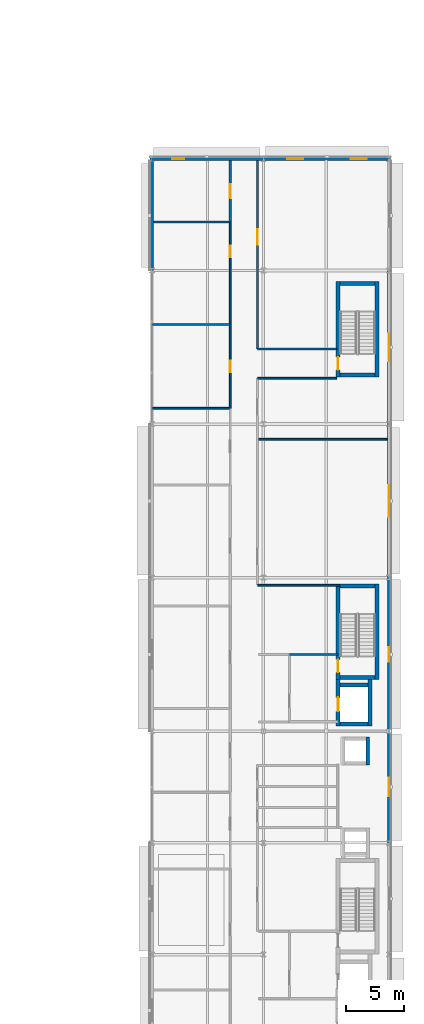
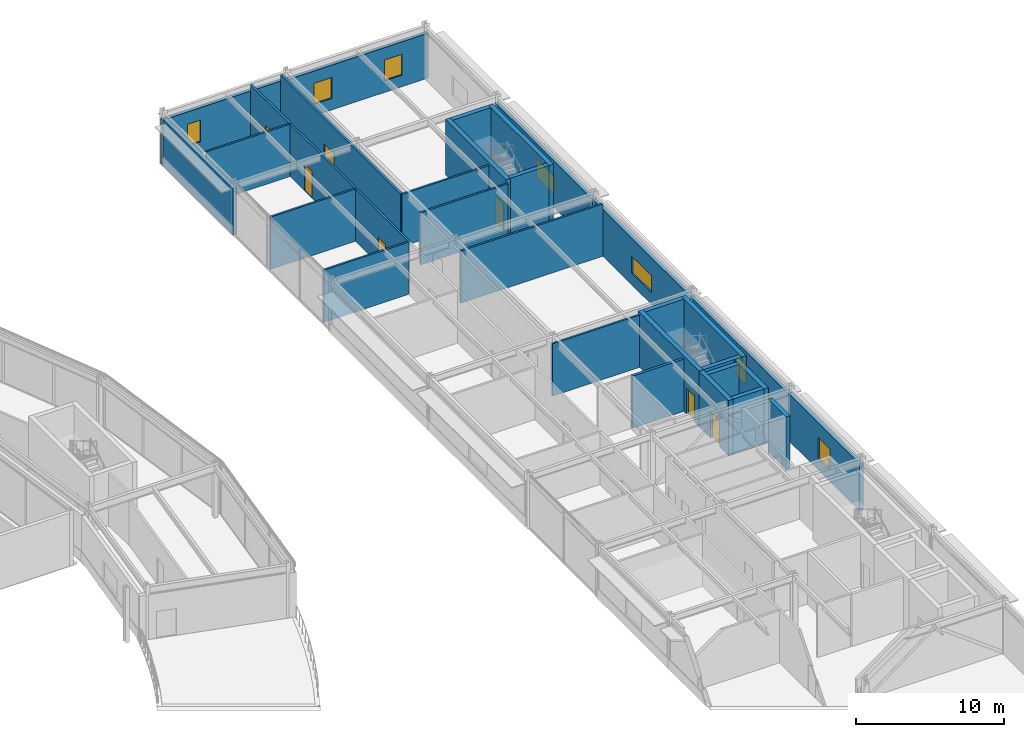
# One storey, part 90 of 116: 32 walls, 7 doors, 7 windows, 14 openings.
"""IFC4 building model written with IfcOpenShell, lengths in metres."""

from ifc_helpers import new_model, si_unit, direction, frame, frame_2d, origin, place, context, subcontext, project, spatial, rectangle, extrude, material, layer, layer_set, type_object, element, fill, save


model = new_model("IFC4")

# Units and contexts
model_context = context("Model", 3, precision=1e-05, world=origin(), true_north=direction((0.0, 1.0)))
body_context = subcontext(model_context, "Body", "Model", "MODEL_VIEW")
ifc_project = project(units=[si_unit("LENGTHUNIT", "METRE"), si_unit("AREAUNIT", "SQUARE_METRE"), si_unit("VOLUMEUNIT", "CUBIC_METRE"), si_unit("PLANEANGLEUNIT", "RADIAN"), si_unit("MASSUNIT", "GRAM", prefix="KILO")], contexts=[model_context])

# Site, building, storey
site_placement = place(None, origin())
site = spatial("IfcSite", under=ifc_project, at=site_placement, CompositionType="ELEMENT")
building_placement = place(site_placement, origin())
building = spatial("IfcBuilding", under=site, at=building_placement, Name="Almandine Court Research Institute", CompositionType="ELEMENT")
storey_placement = place(building_placement, frame((0.0, 0.0, 14.35009765625)))
storey = spatial("IfcBuildingStorey", under=building, at=storey_placement, Name="L03", CompositionType="ELEMENT", Elevation=14.35009765625)

# Wall
ifc_material_1 = material(Name="Insulated Ochre Terracotta Rainscreen Wall", Category="masonry")
ifc_layer_1 = layer(ifc_material_1, 0.2900390625)
ifc_layer_set_1 = layer_set([ifc_layer_1], Name="Insulated Ochre Terracotta Rainscreen Wall")
wall_type_1 = type_object("IfcWallType", Name="Wall-EXT-TERR-290", PredefinedType="SOLIDWALL", material=ifc_layer_set_1)
wall_1_placement = place(storey_placement, frame((153.60009765625, 84.00390625, 0.0), z_axis=(0.0, 0.0, 1.0), x_axis=(0.0, 1.0, 0.0)))
element("IfcWall", 1, at=wall_1_placement, inside=storey, type_object=wall_type_1, Name="L03 Wet Lab West Facade Wall 8", PredefinedType="SOLIDWALL", context=body_context, shape_type="SweptSolid", body=[
    extrude(rectangle(XDim=9.447021484375, YDim=0.2900390625, at=frame_2d((4.7236328125, 0.0))), origin(), (0.0, 0.0, 1.0), 3.846923828125),
])

# Wall, opening, window
wall_2_placement = place(storey_placement, frame((153.455078125, 93.60009765625, 0.0), z_axis=(0.0, 0.0, 1.0), x_axis=(1.0, 0.0, 0.0)))
wall_2 = element("IfcWall", 2, at=wall_2_placement, inside=storey, type_object=wall_type_1, Name="L03 Wet Lab North Wall 1", PredefinedType="SOLIDWALL", context=body_context, shape_type="SweptSolid", body=[
    extrude(rectangle(XDim=9.740966796875, YDim=0.2900390625, at=frame_2d((4.87060546875, 0.0))), origin(), (0.0, 0.0, 1.0), 3.763916015625),
])
opening_1_placement = place(wall_2_placement, frame((1.909912109375, 0.0, 0.949951171875)))
opening_1 = element("IfcOpeningElement", 3, at=opening_1_placement, cuts=wall_2, Name="Opening WN-16", PredefinedType="OPENING", context=body_context, shape_type="SweptSolid", body=[
    extrude(rectangle(XDim=1.050048828125, YDim=1.800048828125, at=frame_2d((0.52490234375, 0.89990234375))), frame((0.0, 0.155029296875, 0.0), z_axis=(0.0, -1.0, 0.0), x_axis=(1.0, 0.0, 0.0)), (0.0, 0.0, 1.0), 0.31005859375),
])
ifc_material_2 = material(Name="Thermally Broken Low-E Double-Glazed Window", Category="glass")
window_type_1 = type_object("IfcWindowType", Name="Win-WN-16-1050x1800", PartitioningType="SINGLE_PANEL", PredefinedType="WINDOW", material=ifc_material_2)
window_1_placement = place(opening_1_placement, origin())
window_1 = element("IfcWindow", 4, at=window_1_placement, inside=storey, type_object=window_type_1, Name="L03 Modular Recessed Low-E Window 117", OverallHeight=1.800048828125, OverallWidth=1.050048828125, PartitioningType="SINGLE_PANEL", PredefinedType="WINDOW", context=body_context, shape_type="SweptSolid", body=[
    extrude(rectangle(XDim=1.050048828125, YDim=1.800048828125, at=frame_2d((0.52490234375, 0.89990234375))), frame((0.0, 0.030029296875, 0.0), z_axis=(0.0, -1.0, 0.0), x_axis=(1.0, 0.0, 0.0)), (0.0, 0.0, 1.0), 0.06005859375),
])
fill(opening_1, window_1)

# Wall, openings, windows
wall_3_placement = place(storey_placement, frame((163.2041015625, 93.60009765625, 0.0), z_axis=(0.0, 0.0, 1.0), x_axis=(1.0, 0.0, 0.0)))
wall_3 = element("IfcWall", 5, at=wall_3_placement, inside=storey, type_object=wall_type_1, Name="L03 Wet Lab North Wall 2", PredefinedType="SOLIDWALL", context=body_context, shape_type="SweptSolid", body=[
    extrude(rectangle(XDim=10.94091796875, YDim=0.2900390625, at=frame_2d((5.470458984375, 0.0))), origin(), (0.0, 0.0, 1.0), 3.68701171875),
])
opening_2_placement = place(wall_3_placement, frame((2.044921875, 0.0, 0.949951171875)))
opening_2 = element("IfcOpeningElement", 6, at=opening_2_placement, cuts=wall_3, Name="Opening WN-17", PredefinedType="OPENING", context=body_context, shape_type="SweptSolid", body=[
    extrude(rectangle(XDim=1.3798828125, YDim=1.719970703125, at=frame_2d((0.68994140625, 0.85986328125))), frame((0.0, 0.155029296875, 0.0), z_axis=(0.0, -1.0, 0.0), x_axis=(1.0, 0.0, 0.0)), (0.0, 0.0, 1.0), 0.31005859375),
])
opening_3_placement = place(wall_3_placement, frame((7.51611328125, 0.0, 0.949951171875)))
opening_3 = element("IfcOpeningElement", 7, at=opening_3_placement, cuts=wall_3, Name="Opening WN-17", PredefinedType="OPENING", context=body_context, shape_type="SweptSolid", body=[
    extrude(rectangle(XDim=1.3798828125, YDim=1.719970703125, at=frame_2d((0.68994140625, 0.85986328125))), frame((0.0, 0.155029296875, 0.0), z_axis=(0.0, -1.0, 0.0), x_axis=(1.0, 0.0, 0.0)), (0.0, 0.0, 1.0), 0.31005859375),
])
window_type_2 = type_object("IfcWindowType", Name="Win-WN-17-1380x1720", PartitioningType="SINGLE_PANEL", PredefinedType="WINDOW", material=ifc_material_2)
window_2_placement = place(opening_2_placement, origin())
window_2 = element("IfcWindow", 8, at=window_2_placement, inside=storey, type_object=window_type_2, Name="L03 Modular Recessed Low-E Window 118", OverallHeight=1.719970703125, OverallWidth=1.3798828125, PartitioningType="SINGLE_PANEL", PredefinedType="WINDOW", context=body_context, shape_type="SweptSolid", body=[
    extrude(rectangle(XDim=1.3798828125, YDim=1.719970703125, at=frame_2d((0.68994140625, 0.85986328125))), frame((0.0, 0.030029296875, 0.0), z_axis=(0.0, -1.0, 0.0), x_axis=(1.0, 0.0, 0.0)), (0.0, 0.0, 1.0), 0.06005859375),
])
fill(opening_2, window_2)
window_3_placement = place(opening_3_placement, origin())
window_3 = element("IfcWindow", 9, at=window_3_placement, inside=storey, type_object=window_type_2, Name="L03 Modular Recessed Low-E Window 119", OverallHeight=1.719970703125, OverallWidth=1.3798828125, PartitioningType="SINGLE_PANEL", PredefinedType="WINDOW", context=body_context, shape_type="SweptSolid", body=[
    extrude(rectangle(XDim=1.3798828125, YDim=1.719970703125, at=frame_2d((0.68994140625, 0.85986328125))), frame((0.0, 0.030029296875, 0.0), z_axis=(0.0, -1.0, 0.0), x_axis=(1.0, 0.0, 0.0)), (0.0, 0.0, 1.0), 0.06005859375),
])
fill(opening_3, window_3)

# Wall, opening, window
wall_4_placement = place(storey_placement, frame((174.0, 83.99609375, 0.0), z_axis=(0.0, 0.0, 1.0), x_axis=(0.0, -1.0, 0.0)))
wall_4 = element("IfcWall", 10, at=wall_4_placement, inside=storey, type_object=wall_type_1, Name="L03 Wet Lab East Facade Wall 7", PredefinedType="SOLIDWALL", context=body_context, shape_type="SweptSolid", body=[
    extrude(rectangle(XDim=13.192138671875, YDim=0.2900390625, at=frame_2d((6.59619140625, 0.0))), origin(), (0.0, 0.0, 1.0), 3.81591796875),
])
opening_4_placement = place(wall_4_placement, frame((5.410888671875, 0.0, 0.949951171875)))
opening_4 = element("IfcOpeningElement", 11, at=opening_4_placement, cuts=wall_4, Name="Opening WN-61", PredefinedType="OPENING", context=body_context, shape_type="SweptSolid", body=[
    extrude(rectangle(XDim=2.3701171875, YDim=1.47998046875, at=frame_2d((1.18505859375, 0.739990234375))), frame((0.0, 0.155029296875, 0.0), z_axis=(0.0, -1.0, 0.0), x_axis=(1.0, 0.0, 0.0)), (0.0, 0.0, 1.0), 0.31005859375),
])
window_type_3 = type_object("IfcWindowType", Name="Win-WN-61-2370x1480", PartitioningType="SINGLE_PANEL", PredefinedType="WINDOW", material=ifc_material_2)
window_4_placement = place(opening_4_placement, origin())
window_4 = element("IfcWindow", 12, at=window_4_placement, inside=storey, type_object=window_type_3, Name="L03 Modular Recessed Low-E Window 121", OverallHeight=1.47998046875, OverallWidth=2.3701171875, PartitioningType="SINGLE_PANEL", PredefinedType="WINDOW", context=body_context, shape_type="SweptSolid", body=[
    extrude(rectangle(XDim=2.3701171875, YDim=1.47998046875, at=frame_2d((1.18505859375, 0.739990234375))), frame((0.0, 0.030029296875, 0.0), z_axis=(0.0, -1.0, 0.0), x_axis=(1.0, 0.0, 0.0)), (0.0, 0.0, 1.0), 0.06005859375),
])
fill(opening_4, window_4)

wall_5_placement = place(storey_placement, frame((174.0, 70.7958984375, 0.0), z_axis=(0.0, 0.0, 1.0), x_axis=(0.0, -1.0, 0.0)))
wall_5 = element("IfcWall", 13, at=wall_5_placement, inside=storey, type_object=wall_type_1, Name="L03 Wet Lab East Facade Wall 6", PredefinedType="SOLIDWALL", context=body_context, shape_type="SweptSolid", body=[
    extrude(rectangle(XDim=13.19189453125, YDim=0.2900390625, at=frame_2d((6.595947265625, 0.0))), origin(), (0.0, 0.0, 1.0), 3.81591796875),
])
opening_5_placement = place(wall_5_placement, frame((5.24609375, 0.0, 0.949951171875)))
opening_5 = element("IfcOpeningElement", 14, at=opening_5_placement, cuts=wall_5, Name="Opening WN-19", PredefinedType="OPENING", context=body_context, shape_type="SweptSolid", body=[
    extrude(rectangle(XDim=2.699951171875, YDim=1.39990234375, at=frame_2d((1.35009765625, 0.699951171875))), frame((0.0, 0.155029296875, 0.0), z_axis=(0.0, -1.0, 0.0), x_axis=(1.0, 0.0, 0.0)), (0.0, 0.0, 1.0), 0.31005859375),
])
window_type_4 = type_object("IfcWindowType", Name="Win-WN-19-2700x1400", PartitioningType="SINGLE_PANEL", PredefinedType="WINDOW", material=ifc_material_2)
window_5_placement = place(opening_5_placement, origin())
window_5 = element("IfcWindow", 15, at=window_5_placement, inside=storey, type_object=window_type_4, Name="L03 Modular Recessed Low-E Window 122", OverallHeight=1.39990234375, OverallWidth=2.699951171875, PartitioningType="SINGLE_PANEL", PredefinedType="WINDOW", context=body_context, shape_type="SweptSolid", body=[
    extrude(rectangle(XDim=2.699951171875, YDim=1.39990234375, at=frame_2d((1.35009765625, 0.699951171875))), frame((0.0, 0.030029296875, 0.0), z_axis=(0.0, -1.0, 0.0), x_axis=(1.0, 0.0, 0.0)), (0.0, 0.0, 1.0), 0.06005859375),
])
fill(opening_5, window_5)

wall_6_placement = place(storey_placement, frame((174.0, 57.595947265625, 0.0), z_axis=(0.0, 0.0, 1.0), x_axis=(0.0, -1.0, 0.0)))
wall_6 = element("IfcWall", 16, at=wall_6_placement, inside=storey, type_object=wall_type_1, Name="L03 Wet Lab East Facade Wall 5", PredefinedType="SOLIDWALL", context=body_context, shape_type="SweptSolid", body=[
    extrude(rectangle(XDim=13.19189453125, YDim=0.2900390625, at=frame_2d((6.595947265625, 0.0))), origin(), (0.0, 0.0, 1.0), 3.81591796875),
])
opening_6_placement = place(wall_6_placement, frame((5.9609375, 0.0, 0.949951171875)))
opening_6 = element("IfcOpeningElement", 17, at=opening_6_placement, cuts=wall_6, Name="Opening WN-20", PredefinedType="OPENING", context=body_context, shape_type="SweptSolid", body=[
    extrude(rectangle(XDim=1.27001953125, YDim=1.800048828125, at=frame_2d((0.635009765625, 0.89990234375))), frame((0.0, 0.155029296875, 0.0), z_axis=(0.0, -1.0, 0.0), x_axis=(1.0, 0.0, 0.0)), (0.0, 0.0, 1.0), 0.31005859375),
])
window_type_5 = type_object("IfcWindowType", Name="Win-WN-20-1270x1800", PartitioningType="SINGLE_PANEL", PredefinedType="WINDOW", material=ifc_material_2)
window_6_placement = place(opening_6_placement, origin())
window_6 = element("IfcWindow", 18, at=window_6_placement, inside=storey, type_object=window_type_5, Name="L03 Modular Recessed Low-E Window 123", OverallHeight=1.800048828125, OverallWidth=1.27001953125, PartitioningType="SINGLE_PANEL", PredefinedType="WINDOW", context=body_context, shape_type="SweptSolid", body=[
    extrude(rectangle(XDim=1.27001953125, YDim=1.800048828125, at=frame_2d((0.635009765625, 0.89990234375))), frame((0.0, 0.030029296875, 0.0), z_axis=(0.0, -1.0, 0.0), x_axis=(1.0, 0.0, 0.0)), (0.0, 0.0, 1.0), 0.06005859375),
])
fill(opening_6, window_6)

wall_7_placement = place(storey_placement, frame((174.0, 44.39599609375, 0.0), z_axis=(0.0, 0.0, 1.0), x_axis=(0.0, -1.0, 0.0)))
wall_7 = element("IfcWall", 19, at=wall_7_placement, inside=storey, type_object=wall_type_1, Name="L03 Wet Lab East Facade Wall 4", PredefinedType="SOLIDWALL", context=body_context, shape_type="SweptSolid", body=[
    extrude(rectangle(XDim=9.592041015625, YDim=0.2900390625, at=frame_2d((4.7958984375, 0.0))), origin(), (0.0, 0.0, 1.0), 3.8837890625),
])
opening_7_placement = place(wall_7_placement, frame((3.99609375, 0.0, 0.949951171875)))
opening_7 = element("IfcOpeningElement", 20, at=opening_7_placement, cuts=wall_7, Name="Opening WN-62", PredefinedType="OPENING", context=body_context, shape_type="SweptSolid", body=[
    extrude(rectangle(XDim=1.60009765625, YDim=1.719970703125, at=frame_2d((0.800048828125, 0.85986328125))), frame((0.0, 0.155029296875, 0.0), z_axis=(0.0, -1.0, 0.0), x_axis=(1.0, 0.0, 0.0)), (0.0, 0.0, 1.0), 0.31005859375),
])
window_type_6 = type_object("IfcWindowType", Name="Win-WN-62-1600x1720", PartitioningType="SINGLE_PANEL", PredefinedType="WINDOW", material=ifc_material_2)
window_7_placement = place(opening_7_placement, origin())
window_7 = element("IfcWindow", 21, at=window_7_placement, inside=storey, type_object=window_type_6, Name="L03 Modular Recessed Low-E Window 124", OverallHeight=1.719970703125, OverallWidth=1.60009765625, PartitioningType="SINGLE_PANEL", PredefinedType="WINDOW", context=body_context, shape_type="SweptSolid", body=[
    extrude(rectangle(XDim=1.60009765625, YDim=1.719970703125, at=frame_2d((0.800048828125, 0.85986328125))), frame((0.0, 0.030029296875, 0.0), z_axis=(0.0, -1.0, 0.0), x_axis=(1.0, 0.0, 0.0)), (0.0, 0.0, 1.0), 0.06005859375),
])
fill(opening_7, window_7)

# Wall, opening, door
ifc_material_3 = material(Name="One-Hour Fire-Rated Laboratory Partition")
ifc_layer_2 = layer(ifc_material_3, 0.175048828125)
ifc_layer_set_2 = layer_set([ifc_layer_2], Name="One-Hour Fire-Rated Laboratory Partition")
wall_type_2 = type_object("IfcWallType", Name="Wall-FIRE-175", PredefinedType="PARTITIONING", material=ifc_layer_set_2)
wall_8_placement = place(storey_placement, frame((160.35009765625, 88.159912109375, 0.0), z_axis=(0.0, 0.0, 1.0), x_axis=(0.0, 1.0, 0.0)))
wall_8 = element("IfcWall", 22, at=wall_8_placement, inside=storey, type_object=wall_type_2, Name="L03 Interior Partition W-V4-L03-WW-10", PredefinedType="PARTITIONING", context=body_context, shape_type="SweptSolid", body=[
    extrude(rectangle(XDim=5.280029296875, YDim=0.175048828125, at=frame_2d((2.64013671875, 0.0))), origin(), (0.0, 0.0, 1.0), 4.2998046875),
])
opening_8_placement = place(wall_8_placement, frame((2.0400390625, 0.0, 0.0)))
opening_8 = element("IfcOpeningElement", 23, at=opening_8_placement, cuts=wall_8, Name="Opening FD-LAB", PredefinedType="OPENING", context=body_context, shape_type="SweptSolid", body=[
    extrude(rectangle(XDim=1.199951171875, YDim=2.199951171875, at=frame_2d((0.60009765625, 1.10009765625))), frame((0.0, 0.097412109375, 0.0), z_axis=(0.0, -1.0, 0.0), x_axis=(1.0, 0.0, 0.0)), (0.0, 0.0, 1.0), 0.195068359375),
])
ifc_material_4 = material(Name="Fire-Rated Laboratory Containment Door")
door_type_1 = type_object("IfcDoorType", Name="Door-FD-LAB-1200", OperationType="NOTDEFINED", PredefinedType="DOOR", material=ifc_material_4)
door_1_placement = place(opening_8_placement, origin())
door_1 = element("IfcDoor", 24, at=door_1_placement, inside=storey, type_object=door_type_1, Name="L03 Wet Chemistry Laboratory Door", OperationType="SINGLE_SWING_LEFT", OverallHeight=2.199951171875, OverallWidth=1.199951171875, PredefinedType="DOOR", context=body_context, shape_type="SweptSolid", body=[
    extrude(rectangle(XDim=1.199951171875, YDim=2.199951171875, at=frame_2d((0.60009765625, 1.10009765625))), frame((0.0, 0.02490234375, 0.0), z_axis=(0.0, -1.0, 0.0), x_axis=(1.0, 0.0, 0.0)), (0.0, 0.0, 1.0), 0.050048828125),
])
fill(opening_8, door_1)

wall_9_placement = place(storey_placement, frame((162.699951171875, 77.25, 0.0), z_axis=(0.0, 0.0, 1.0), x_axis=(0.0, 1.0, 0.0)))
wall_9 = element("IfcWall", 25, at=wall_9_placement, inside=storey, type_object=wall_type_2, Name="L03 Interior Partition W-V4-L03-EW-N2", PredefinedType="PARTITIONING", context=body_context, shape_type="SweptSolid", body=[
    extrude(rectangle(XDim=16.18994140625, YDim=0.175048828125, at=frame_2d((8.094970703125, 0.0))), origin(), (0.0, 0.0, 1.0), 4.2998046875),
])
opening_9_placement = place(wall_9_placement, frame((8.949951171875, 0.0, 0.0)))
opening_9 = element("IfcOpeningElement", 26, at=opening_9_placement, cuts=wall_9, Name="Opening FD-LB2", PredefinedType="OPENING", context=body_context, shape_type="SweptSolid", body=[
    extrude(rectangle(XDim=1.35009765625, YDim=2.199951171875, at=frame_2d((0.675048828125, 1.10009765625))), frame((0.0, 0.097412109375, 0.0), z_axis=(0.0, -1.0, 0.0), x_axis=(1.0, 0.0, 0.0)), (0.0, 0.0, 1.0), 0.195068359375),
])
ifc_material_5 = material(Name="Wide Fire-Rated Cleanroom and Lab Door")
door_type_2 = type_object("IfcDoorType", Name="Door-FD-LAB-1350", OperationType="NOTDEFINED", PredefinedType="DOOR", material=ifc_material_5)
door_2_placement = place(opening_9_placement, origin())
door_2 = element("IfcDoor", 27, at=door_2_placement, inside=storey, type_object=door_type_2, Name="L03 East BSL-2 Lab Door", OperationType="SINGLE_SWING_RIGHT", OverallHeight=2.199951171875, OverallWidth=1.35009765625, PredefinedType="DOOR", context=body_context, shape_type="SweptSolid", body=[
    extrude(rectangle(XDim=1.35009765625, YDim=2.199951171875, at=frame_2d((0.675048828125, 1.10009765625))), frame((0.0, 0.02490234375, 0.0), z_axis=(0.0, -1.0, 0.0), x_axis=(1.0, 0.0, 0.0)), (0.0, 0.0, 1.0), 0.050048828125),
])
fill(opening_9, door_2)

# Walls
ifc_material_6 = material(Name="Two-Hour Fire-Barrier Enclosure Wall")
ifc_layer_3 = layer(ifc_material_6, 0.199951171875)
ifc_layer_set_3 = layer_set([ifc_layer_3], Name="Two-Hour Fire-Barrier Enclosure Wall")
wall_type_3 = type_object("IfcWallType", Name="Wall-FIRE-200", PredefinedType="SOLIDWALL", material=ifc_layer_set_3)
wall_10_placement = place(storey_placement, frame((165.449951171875, 51.0, 0.0), z_axis=(0.0, 0.0, 1.0), x_axis=(1.0, 0.0, 0.0)))
element("IfcWall", 28, at=wall_10_placement, inside=storey, type_object=wall_type_3, Name="L03 Interior Partition W-FFL2-L03-N", PredefinedType="SOLIDWALL", context=body_context, shape_type="SweptSolid", body=[
    extrude(rectangle(XDim=4.150146484375, YDim=0.199951171875, at=frame_2d((2.0751953125, 0.0))), origin(), (0.0, 0.0, 1.0), 4.2998046875),
])
ifc_material_7 = material(Name="Acoustic Steel-Stud Gypsum Partition Wall", Category="steel")
ifc_layer_4 = layer(ifc_material_7, 0.14990234375)
ifc_layer_set_4 = layer_set([ifc_layer_4], Name="Acoustic Steel-Stud Gypsum Partition Wall")
wall_type_4 = type_object("IfcWallType", Name="Wall-PART-150", PredefinedType="PARTITIONING", material=ifc_layer_set_4)
wall_11_placement = place(storey_placement, frame((153.659912109375, 72.159912109375, 0.0), z_axis=(0.0, 0.0, 1.0), x_axis=(1.0, 0.0, 0.0)))
element("IfcWall", 29, at=wall_11_placement, inside=storey, type_object=wall_type_4, Name="L03 Interior Partition W-V4-L03-WDIV-7", PredefinedType="PARTITIONING", context=body_context, shape_type="SweptSolid", body=[
    extrude(rectangle(XDim=6.610107421875, YDim=0.14990234375, at=frame_2d((3.30517578125, 0.0))), origin(), (0.0, 0.0, 1.0), 4.2998046875),
])

# Wall, opening, door
wall_12_placement = place(storey_placement, frame((160.35009765625, 72.159912109375, 0.0), z_axis=(0.0, 0.0, 1.0), x_axis=(0.0, 1.0, 0.0)))
wall_12 = element("IfcWall", 30, at=wall_12_placement, inside=storey, type_object=wall_type_4, Name="L03 Interior Partition W-V4-L03-WW-8", PredefinedType="PARTITIONING", context=body_context, shape_type="SweptSolid", body=[
    extrude(rectangle(XDim=7.2001953125, YDim=0.14990234375, at=frame_2d((3.60009765625, 0.0))), origin(), (0.0, 0.0, 1.0), 4.2998046875),
])
opening_10_placement = place(wall_12_placement, frame((3.10009765625, 0.0, 0.0)))
opening_10 = element("IfcOpeningElement", 31, at=opening_10_placement, cuts=wall_12, Name="Opening D-02", PredefinedType="OPENING", context=body_context, shape_type="SweptSolid", body=[
    extrude(rectangle(XDim=1.0, YDim=2.199951171875, at=frame_2d((0.5, 1.10009765625))), frame((0.0, 0.0849609375, 0.0), z_axis=(0.0, -1.0, 0.0), x_axis=(1.0, 0.0, 0.0)), (0.0, 0.0, 1.0), 0.169921875),
])
ifc_material_8 = material(Name="Solid-Core Timber Researcher Office Door", Category="wood")
door_type_3 = type_object("IfcDoorType", Name="Door-INT-1000", OperationType="NOTDEFINED", PredefinedType="DOOR", material=ifc_material_8)
door_3_placement = place(opening_10_placement, origin())
door_3 = element("IfcDoor", 32, at=door_3_placement, inside=storey, type_object=door_type_3, Name="L03 Instrument Room Door", OperationType="SINGLE_SWING_LEFT", OverallHeight=2.199951171875, OverallWidth=1.0, PredefinedType="DOOR", context=body_context, shape_type="SweptSolid", body=[
    extrude(rectangle(XDim=1.0, YDim=2.199951171875, at=frame_2d((0.5, 1.10009765625))), frame((0.0, 0.02490234375, 0.0), z_axis=(0.0, -1.0, 0.0), x_axis=(1.0, 0.0, 0.0)), (0.0, 0.0, 1.0), 0.050048828125),
])
fill(opening_10, door_3)

# Wall
wall_13_placement = place(storey_placement, frame((153.659912109375, 79.360107421875, 0.0), z_axis=(0.0, 0.0, 1.0), x_axis=(1.0, 0.0, 0.0)))
element("IfcWall", 33, at=wall_13_placement, inside=storey, type_object=wall_type_4, Name="L03 Interior Partition W-V4-L03-WDIV-8", PredefinedType="PARTITIONING", context=body_context, shape_type="SweptSolid", body=[
    extrude(rectangle(XDim=6.610107421875, YDim=0.14990234375, at=frame_2d((3.30517578125, 0.0))), origin(), (0.0, 0.0, 1.0), 4.2998046875),
])

# Wall, opening, door
wall_14_placement = place(storey_placement, frame((160.35009765625, 79.360107421875, 0.0), z_axis=(0.0, 0.0, 1.0), x_axis=(0.0, 1.0, 0.0)))
wall_14 = element("IfcWall", 34, at=wall_14_placement, inside=storey, type_object=wall_type_4, Name="L03 Interior Partition W-V4-L03-WW-9", PredefinedType="PARTITIONING", context=body_context, shape_type="SweptSolid", body=[
    extrude(rectangle(XDim=8.7998046875, YDim=0.14990234375, at=frame_2d((4.39990234375, 0.0))), origin(), (0.0, 0.0, 1.0), 4.2998046875),
])
opening_11_placement = place(wall_14_placement, frame((5.7900390625, 0.0, 0.0)))
opening_11 = element("IfcOpeningElement", 35, at=opening_11_placement, cuts=wall_14, Name="Opening D-02", PredefinedType="OPENING", context=body_context, shape_type="SweptSolid", body=[
    extrude(rectangle(XDim=1.0, YDim=2.199951171875, at=frame_2d((0.5, 1.10009765625))), frame((0.0, 0.0849609375, 0.0), z_axis=(0.0, -1.0, 0.0), x_axis=(1.0, 0.0, 0.0)), (0.0, 0.0, 1.0), 0.169921875),
])
door_4_placement = place(opening_11_placement, origin())
door_4 = element("IfcDoor", 36, at=door_4_placement, inside=storey, type_object=door_type_3, Name="L03 Write-up Office Door", OperationType="SINGLE_SWING_RIGHT", OverallHeight=2.199951171875, OverallWidth=1.0, PredefinedType="DOOR", context=body_context, shape_type="SweptSolid", body=[
    extrude(rectangle(XDim=1.0, YDim=2.199951171875, at=frame_2d((0.5, 1.10009765625))), frame((0.0, 0.02490234375, 0.0), z_axis=(0.0, -1.0, 0.0), x_axis=(1.0, 0.0, 0.0)), (0.0, 0.0, 1.0), 0.050048828125),
])
fill(opening_11, door_4)

# Walls
wall_15_placement = place(storey_placement, frame((153.760009765625, 88.159912109375, 0.0), z_axis=(0.0, 0.0, 1.0), x_axis=(1.0, 0.0, 0.0)))
element("IfcWall", 37, at=wall_15_placement, inside=storey, type_object=wall_type_4, Name="L03 Interior Partition W-V4-L03-WDIV-9", PredefinedType="PARTITIONING", context=body_context, shape_type="SweptSolid", body=[
    extrude(rectangle(XDim=6.510009765625, YDim=0.14990234375, at=frame_2d((3.2548828125, 0.0))), origin(), (0.0, 0.0, 1.0), 4.2998046875),
])
wall_16_placement = place(storey_placement, frame((162.699951171875, 56.949951171875, 0.0), z_axis=(0.0, 0.0, 1.0), x_axis=(1.0, 0.0, 0.0)))
element("IfcWall", 38, at=wall_16_placement, inside=storey, type_object=wall_type_4, Name="L03 Interior Partition W-V4-L03-ES-N1", PredefinedType="PARTITIONING", context=body_context, shape_type="SweptSolid", body=[
    extrude(rectangle(XDim=7.10009765625, YDim=0.14990234375, at=frame_2d((3.550048828125, 0.0))), origin(), (0.0, 0.0, 1.0), 4.2998046875),
])
for number, where, z_axis, x_axis, name in (
    (39, (162.699951171875, 74.75, 0.0), (0.0, 0.0, 1.0), (1.0, 0.0, 0.0), "L03 Interior Partition W-V4-L03-ST13S"),
    (40, (162.699951171875, 77.25, 0.0), (0.0, 0.0, 1.0), (1.0, 0.0, 0.0), "L03 Interior Partition W-V4-L03-ST13N"),
):
    element("IfcWall", number, at=place(storey_placement, frame(where, z_axis=z_axis, x_axis=x_axis)), inside=storey, type_object=wall_type_4, Name=name, PredefinedType="PARTITIONING", context=body_context, shape_type="SweptSolid", body=[
        extrude(rectangle(XDim=6.800048828125, YDim=0.14990234375, at=frame_2d((3.39990234375, 0.0))), origin(), (0.0, 0.0, 1.0), 4.2998046875),
    ])
wall_17_placement = place(storey_placement, frame((162.7900390625, 69.5, 0.0), z_axis=(0.0, 0.0, 1.0), x_axis=(1.0, 0.0, 0.0)))
element("IfcWall", 41, at=wall_17_placement, inside=storey, type_object=wall_type_4, Name="L03 Interior Partition W-V4-L03-EDIV-N", PredefinedType="PARTITIONING", context=body_context, shape_type="SweptSolid", body=[
    extrude(rectangle(XDim=11.050048828125, YDim=0.14990234375, at=frame_2d((5.52490234375, 0.0))), origin(), (0.0, 0.0, 1.0), 4.2998046875),
])
ifc_material_9 = material(Name="Concrete C40/50", Category="concrete")
ifc_layer_5 = layer(ifc_material_9, 0.300048828125)
ifc_layer_set_5 = layer_set([ifc_layer_5], Name="Concrete C40/50")
wall_type_5 = type_object("IfcWallType", Name="Wall-SW-CORE-300", PredefinedType="SHEAR", material=ifc_layer_set_5)
wall_18_placement = place(storey_placement, frame((172.14990234375, 43.89990234375, 0.0), z_axis=(0.0, 0.0, 1.0), x_axis=(0.0, -1.0, 0.0)))
element("IfcWall", 42, at=wall_18_placement, inside=storey, type_object=wall_type_5, Name="L03 MEP Riser RS-V4B E Shear Wall", PredefinedType="SHEAR", context=body_context, shape_type="SweptSolid", body=[
    extrude(rectangle(XDim=2.39990234375, YDim=0.300048828125, at=frame_2d((1.199951171875, 0.0))), origin(), (0.0, 0.0, 1.0), 4.369873046875),
])

# Wall, opening, door
ifc_layer_6 = layer(ifc_material_9, 0.35009765625)
ifc_layer_set_6 = layer_set([ifc_layer_6], Name="Concrete C40/50")
wall_type_6 = type_object("IfcWallType", Name="Wall-SW-CORE-350", PredefinedType="SHEAR", material=ifc_layer_set_6)
wall_19_placement = place(storey_placement, frame((169.625, 48.85009765625, 0.0), z_axis=(0.0, 0.0, 1.0), x_axis=(0.0, 1.0, 0.0)))
wall_19 = element("IfcWall", 43, at=wall_19_placement, inside=storey, type_object=wall_type_6, Name="L03 ST-08 W Shear Wall", PredefinedType="SHEAR", context=body_context, shape_type="SweptSolid", body=[
    extrude(rectangle(XDim=8.199951171875, YDim=0.35009765625, at=frame_2d((4.10009765625, 0.0))), origin(), (0.0, 0.0, 1.0), 4.5498046875),
])
opening_12_placement = place(wall_19_placement, frame((0.60009765625, 0.0, 0.0)))
opening_12 = element("IfcOpeningElement", 44, at=opening_12_placement, cuts=wall_19, Name="Opening FD-STAIR", PredefinedType="OPENING", context=body_context, shape_type="SweptSolid", body=[
    extrude(rectangle(XDim=1.10009765625, YDim=2.14990234375, at=frame_2d((0.550048828125, 1.074951171875))), frame((0.0, 0.18505859375, 0.0), z_axis=(0.0, -1.0, 0.0), x_axis=(1.0, 0.0, 0.0)), (0.0, 0.0, 1.0), 0.3701171875),
])
ifc_material_10 = material(Name="Self-Closing Steel Exit Stair Fire Door", Category="steel")
door_type_4 = type_object("IfcDoorType", Name="Door-FD-STAIR-1100", OperationType="NOTDEFINED", PredefinedType="DOOR", material=ifc_material_10)
door_5_placement = place(opening_12_placement, origin())
door_5 = element("IfcDoor", 45, at=door_5_placement, inside=storey, type_object=door_type_4, Name="L03 Exit Stair ST-08 Fire Door", OperationType="SINGLE_SWING_RIGHT", OverallHeight=2.14990234375, OverallWidth=1.10009765625, PredefinedType="DOOR", context=body_context, shape_type="SweptSolid", body=[
    extrude(rectangle(XDim=1.10009765625, YDim=2.14990234375, at=frame_2d((0.550048828125, 1.074951171875))), frame((0.0, 0.02490234375, 0.0), z_axis=(0.0, -1.0, 0.0), x_axis=(1.0, 0.0, 0.0)), (0.0, 0.0, 1.0), 0.050048828125),
])
fill(opening_12, door_5)

# Walls
wall_20_placement = place(storey_placement, frame((169.800048828125, 56.875, 0.0), z_axis=(0.0, 0.0, 1.0), x_axis=(1.0, 0.0, 0.0)))
element("IfcWall", 46, at=wall_20_placement, inside=storey, type_object=wall_type_6, Name="L03 ST-08 N Shear Wall", PredefinedType="SHEAR", context=body_context, shape_type="SweptSolid", body=[
    extrude(rectangle(XDim=3.0, YDim=0.35009765625, at=frame_2d((1.5, 0.0))), origin(), (0.0, 0.0, 1.0), 4.5498046875),
])
wall_21_placement = place(storey_placement, frame((172.97509765625, 57.050048828125, 0.0), z_axis=(0.0, 0.0, 1.0), x_axis=(0.0, -1.0, 0.0)))
element("IfcWall", 47, at=wall_21_placement, inside=storey, type_object=wall_type_6, Name="L03 ST-08 E Shear Wall", PredefinedType="SHEAR", context=body_context, shape_type="SweptSolid", body=[
    extrude(rectangle(XDim=8.199951171875, YDim=0.35009765625, at=frame_2d((4.10009765625, 0.0))), origin(), (0.0, 0.0, 1.0), 4.5498046875),
])
wall_22_placement = place(storey_placement, frame((172.800048828125, 49.02490234375, 0.0), z_axis=(0.0, 0.0, 1.0), x_axis=(-1.0, 0.0, 0.0)))
element("IfcWall", 48, at=wall_22_placement, inside=storey, type_object=wall_type_6, Name="L03 ST-08 S Shear Wall", PredefinedType="SHEAR", context=body_context, shape_type="SweptSolid", body=[
    extrude(rectangle(XDim=3.0, YDim=0.35009765625, at=frame_2d((1.5, 0.0))), origin(), (0.0, 0.0, 1.0), 4.5498046875),
])

# Wall, opening, door
wall_23_placement = place(storey_placement, frame((169.625, 74.85009765625, 0.0), z_axis=(0.0, 0.0, 1.0), x_axis=(0.0, 1.0, 0.0)))
wall_23 = element("IfcWall", 49, at=wall_23_placement, inside=storey, type_object=wall_type_6, Name="L03 ST-13 W Shear Wall", PredefinedType="SHEAR", context=body_context, shape_type="SweptSolid", body=[
    extrude(rectangle(XDim=8.199951171875, YDim=0.35009765625, at=frame_2d((4.10009765625, 0.0))), origin(), (0.0, 0.0, 1.0), 4.5498046875),
])
opening_13_placement = place(wall_23_placement, frame((0.60009765625, 0.0, 0.0)))
opening_13 = element("IfcOpeningElement", 50, at=opening_13_placement, cuts=wall_23, Name="Opening FD-STAIR", PredefinedType="OPENING", context=body_context, shape_type="SweptSolid", body=[
    extrude(rectangle(XDim=1.10009765625, YDim=2.14990234375, at=frame_2d((0.550048828125, 1.074951171875))), frame((0.0, 0.18505859375, 0.0), z_axis=(0.0, -1.0, 0.0), x_axis=(1.0, 0.0, 0.0)), (0.0, 0.0, 1.0), 0.3701171875),
])
door_6_placement = place(opening_13_placement, origin())
door_6 = element("IfcDoor", 51, at=door_6_placement, inside=storey, type_object=door_type_4, Name="L03 Exit Stair ST-13 Fire Door", OperationType="SINGLE_SWING_LEFT", OverallHeight=2.14990234375, OverallWidth=1.10009765625, PredefinedType="DOOR", context=body_context, shape_type="SweptSolid", body=[
    extrude(rectangle(XDim=1.10009765625, YDim=2.14990234375, at=frame_2d((0.550048828125, 1.074951171875))), frame((0.0, 0.02490234375, 0.0), z_axis=(0.0, -1.0, 0.0), x_axis=(1.0, 0.0, 0.0)), (0.0, 0.0, 1.0), 0.050048828125),
])
fill(opening_13, door_6)

# Walls
wall_24_placement = place(storey_placement, frame((169.800048828125, 82.875, 0.0), z_axis=(0.0, 0.0, 1.0), x_axis=(1.0, 0.0, 0.0)))
element("IfcWall", 52, at=wall_24_placement, inside=storey, type_object=wall_type_6, Name="L03 ST-13 N Shear Wall", PredefinedType="SHEAR", context=body_context, shape_type="SweptSolid", body=[
    extrude(rectangle(XDim=3.0, YDim=0.35009765625, at=frame_2d((1.5, 0.0))), origin(), (0.0, 0.0, 1.0), 4.5498046875),
])
wall_25_placement = place(storey_placement, frame((172.97509765625, 83.050048828125, 0.0), z_axis=(0.0, 0.0, 1.0), x_axis=(0.0, -1.0, 0.0)))
element("IfcWall", 53, at=wall_25_placement, inside=storey, type_object=wall_type_6, Name="L03 ST-13 E Shear Wall", PredefinedType="SHEAR", context=body_context, shape_type="SweptSolid", body=[
    extrude(rectangle(XDim=8.199951171875, YDim=0.35009765625, at=frame_2d((4.10009765625, 0.0))), origin(), (0.0, 0.0, 1.0), 4.5498046875),
])
wall_26_placement = place(storey_placement, frame((172.800048828125, 75.02490234375, 0.0), z_axis=(0.0, 0.0, 1.0), x_axis=(-1.0, 0.0, 0.0)))
element("IfcWall", 54, at=wall_26_placement, inside=storey, type_object=wall_type_6, Name="L03 ST-13 S Shear Wall", PredefinedType="SHEAR", context=body_context, shape_type="SweptSolid", body=[
    extrude(rectangle(XDim=3.0, YDim=0.35009765625, at=frame_2d((1.5, 0.0))), origin(), (0.0, 0.0, 1.0), 4.5498046875),
])

# Wall, opening, door
wall_27_placement = place(storey_placement, frame((169.625, 44.85009765625, 0.0), z_axis=(0.0, 0.0, 1.0), x_axis=(0.0, 1.0, 0.0)))
wall_27 = element("IfcWall", 55, at=wall_27_placement, inside=storey, type_object=wall_type_6, Name="L03 FL-02 Hoistway W Shear Wall", PredefinedType="SHEAR", context=body_context, shape_type="SweptSolid", body=[
    extrude(rectangle(XDim=4.0, YDim=0.35009765625, at=frame_2d((2.0, 0.0))), origin(), (0.0, 0.0, 1.0), 4.5498046875),
])
opening_14_placement = place(wall_27_placement, frame((1.25, 0.0, 0.0)))
opening_14 = element("IfcOpeningElement", 56, at=opening_14_placement, cuts=wall_27, Name="Opening LD-02", PredefinedType="OPENING", context=body_context, shape_type="SweptSolid", body=[
    extrude(rectangle(XDim=1.199951171875, YDim=2.14990234375, at=frame_2d((0.60009765625, 1.074951171875))), frame((0.0, 0.18505859375, 0.0), z_axis=(0.0, -1.0, 0.0), x_axis=(1.0, 0.0, 0.0)), (0.0, 0.0, 1.0), 0.3701171875),
])
ifc_material_11 = material(Name="Firefighting Lift Landing Sliding Door")
door_type_5 = type_object("IfcDoorType", Name="Door-LD-FSAE-1200", OperationType="SLIDING_TO_LEFT", PredefinedType="USERDEFINED", material=ifc_material_11)
door_7_placement = place(opening_14_placement, origin())
door_7 = element("IfcDoor", 57, at=door_7_placement, inside=storey, type_object=door_type_5, Name="L03 Firefighting Lift FL-02 Sliding Landing Door", ObjectType="LANDING DOOR", OperationType="SLIDING_TO_LEFT", OverallHeight=2.14990234375, OverallWidth=1.199951171875, PredefinedType="USERDEFINED", context=body_context, shape_type="SweptSolid", body=[
    extrude(rectangle(XDim=1.199951171875, YDim=2.14990234375, at=frame_2d((0.60009765625, 1.074951171875))), frame((0.0, 0.02490234375, 0.0), z_axis=(0.0, -1.0, 0.0), x_axis=(1.0, 0.0, 0.0)), (0.0, 0.0, 1.0), 0.050048828125),
])
fill(opening_14, door_7)

# Walls
wall_28_placement = place(storey_placement, frame((169.800048828125, 48.375, 0.0), z_axis=(0.0, 0.0, 1.0), x_axis=(1.0, 0.0, 0.0)))
element("IfcWall", 58, at=wall_28_placement, inside=storey, type_object=wall_type_6, Name="L03 FL-02 Hoistway N Shear Wall", PredefinedType="SHEAR", context=body_context, shape_type="SweptSolid", body=[
    extrude(rectangle(XDim=2.39990234375, YDim=0.35009765625, at=frame_2d((1.199951171875, 0.0))), origin(), (0.0, 0.0, 1.0), 4.5498046875),
])
wall_29_placement = place(storey_placement, frame((172.375, 48.85009765625, 0.0), z_axis=(0.0, 0.0, 1.0), x_axis=(0.0, -1.0, 0.0)))
element("IfcWall", 59, at=wall_29_placement, inside=storey, type_object=wall_type_6, Name="L03 FL-02 Hoistway E Shear Wall", PredefinedType="SHEAR", context=body_context, shape_type="SweptSolid", body=[
    extrude(rectangle(XDim=4.0, YDim=0.35009765625, at=frame_2d((2.0, 0.0))), origin(), (0.0, 0.0, 1.0), 4.5498046875),
])
wall_30_placement = place(storey_placement, frame((172.199951171875, 45.02490234375, 0.0), z_axis=(0.0, 0.0, 1.0), x_axis=(-1.0, 0.0, 0.0)))
element("IfcWall", 60, at=wall_30_placement, inside=storey, type_object=wall_type_6, Name="L03 FL-02 Hoistway S Shear Wall", PredefinedType="SHEAR", context=body_context, shape_type="SweptSolid", body=[
    extrude(rectangle(XDim=2.39990234375, YDim=0.35009765625, at=frame_2d((1.199951171875, 0.0))), origin(), (0.0, 0.0, 1.0), 4.5498046875),
])

save(model, "model.ifc")
